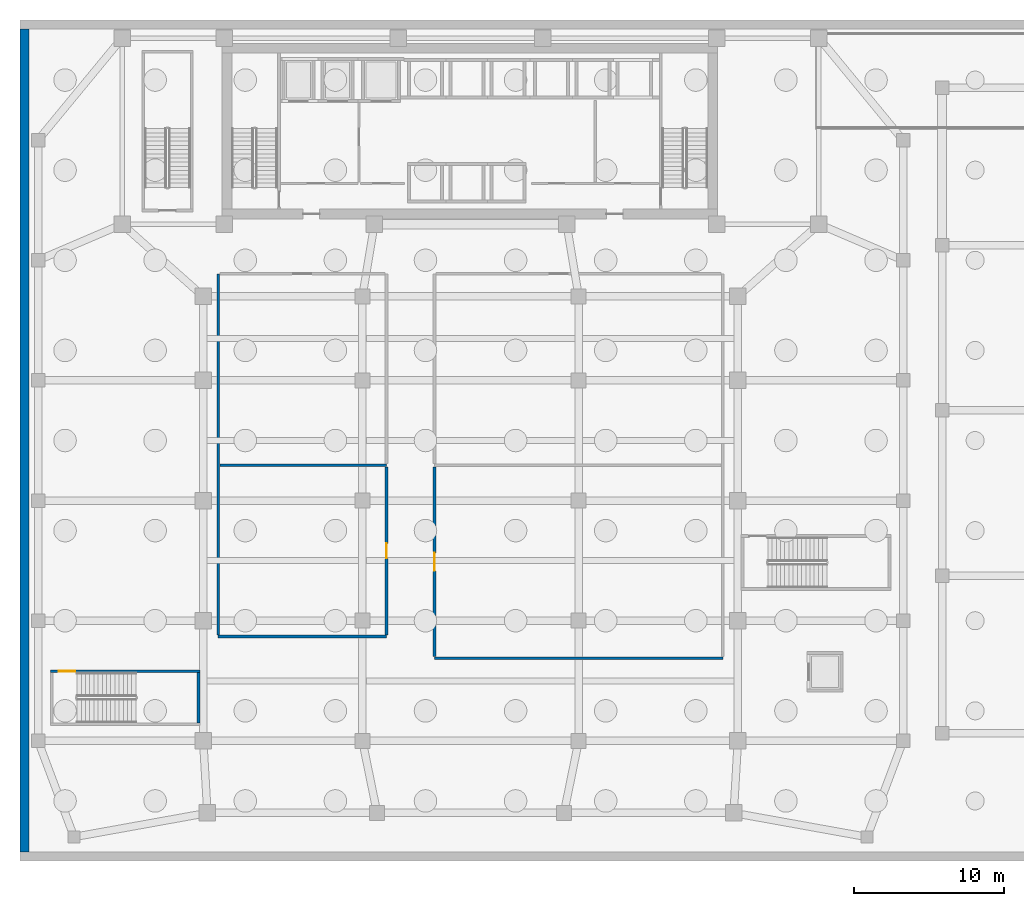
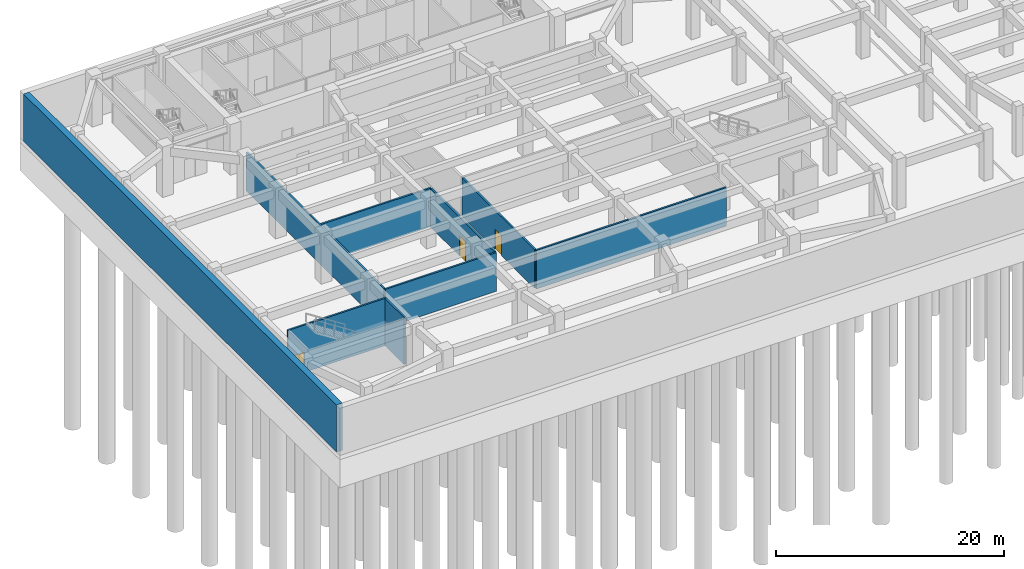
# One storey, part 7 of 18: 9 walls, 3 doors, 3 openings.
"""IFC4 building model written with IfcOpenShell, lengths in metres."""

from ifc_helpers import new_model, si_unit, direction, frame, frame_2d, origin, place, context, subcontext, project, spatial, rectangle, extrude, material, layer, layer_set, type_object, element, fill, save


model = new_model("IFC4")

# Units and contexts
model_context = context("Model", 3, precision=1e-05, world=origin(), true_north=direction((0.0, 1.0)))
body_context = subcontext(model_context, "Body", "Model", "MODEL_VIEW")
ifc_project = project(units=[si_unit("LENGTHUNIT", "METRE"), si_unit("AREAUNIT", "SQUARE_METRE"), si_unit("VOLUMEUNIT", "CUBIC_METRE"), si_unit("PLANEANGLEUNIT", "RADIAN"), si_unit("MASSUNIT", "GRAM", prefix="KILO")], contexts=[model_context])

# Site, building, storey
site_placement = place(None, origin())
site = spatial("IfcSite", under=ifc_project, at=site_placement, CompositionType="ELEMENT")
building_placement = place(site_placement, origin())
building = spatial("IfcBuilding", under=site, at=building_placement, Name="Saevonmaru Cultural Tower", CompositionType="ELEMENT")
storey_placement = place(building_placement, frame((0.0, 0.0, -10.800048828125)))
storey = spatial("IfcBuildingStorey", under=building, at=storey_placement, Name="B2", CompositionType="ELEMENT", Elevation=-10.800048828125)

# Walls
ifc_material_1 = material(Name="Gypsum Fireboard Partition", Category="gypsum")
ifc_layer_1 = layer(ifc_material_1, 0.179931640625, Name="Gypsum Fireboard Partition")
ifc_layer_set_1 = layer_set([ifc_layer_1], Name="Gypsum Fireboard Partition")
wall_type_1 = type_object("IfcWallType", Name="WL-PART-PLANT-180", PredefinedType="PARTITIONING", material=ifc_layer_set_1)
wall_1_placement = place(storey_placement, frame((13.199951171875, 14.949951171875, 0.0), z_axis=(0.0, 0.0, 1.0), x_axis=(1.0, 0.0, 0.0)))
element("IfcWall", 1, at=wall_1_placement, inside=storey, type_object=wall_type_1, Name="B2 Water Tank South Wall", PredefinedType="PARTITIONING", context=body_context, shape_type="SweptSolid", body=[
    extrude(rectangle(XDim=11.199951171875, YDim=0.179931640625, at=frame_2d((5.60009765625, 0.0))), origin(), (0.0, 0.0, 1.0), 4.135009765625),
])
wall_2_placement = place(storey_placement, frame((13.199951171875, 15.06005859375, 0.0), z_axis=(0.0, 0.0, 1.0), x_axis=(0.0, 1.0, 0.0)))
element("IfcWall", 2, at=wall_2_placement, inside=storey, type_object=wall_type_1, Name="B2 Plant West Wall", PredefinedType="PARTITIONING", context=body_context, shape_type="SweptSolid", body=[
    extrude(rectangle(XDim=24.0400390625, YDim=0.179931640625, at=frame_2d((12.02001953125, 0.0))), origin(), (0.0, 0.0, 1.0), 4.135009765625),
])
wall_3_placement = place(storey_placement, frame((13.31005859375, 26.35009765625, 0.0), z_axis=(0.0, 0.0, 1.0), x_axis=(1.0, 0.0, 0.0)))
element("IfcWall", 3, at=wall_3_placement, inside=storey, type_object=wall_type_1, Name="B2 Tank-Chiller Wall", PredefinedType="PARTITIONING", context=body_context, shape_type="SweptSolid", body=[
    extrude(rectangle(XDim=11.08984375, YDim=0.179931640625, at=frame_2d((5.544921875, 0.0))), origin(), (0.0, 0.0, 1.0), 4.135009765625),
])

# Wall, opening, door
wall_4_placement = place(storey_placement, frame((24.39990234375, 15.06005859375, 0.0), z_axis=(0.0, 0.0, 1.0), x_axis=(0.0, 1.0, 0.0)))
wall_4 = element("IfcWall", 4, at=wall_4_placement, inside=storey, type_object=wall_type_1, Name="B2 Water Tank East Wall", PredefinedType="PARTITIONING", context=body_context, shape_type="SweptSolid", body=[
    extrude(rectangle(XDim=11.179931640625, YDim=0.179931640625, at=frame_2d((5.58984375, 0.0))), origin(), (0.0, 0.0, 1.0), 4.135009765625),
])
opening_1_placement = place(wall_4_placement, frame((5.090087890625, 0.0, 0.0)))
opening_1 = element("IfcOpeningElement", 5, at=opening_1_placement, cuts=wall_4, Name="Opening FD-3", PredefinedType="OPENING", context=body_context, shape_type="SweptSolid", body=[
    extrude(rectangle(XDim=1.0, YDim=2.14990234375, at=frame_2d((0.5, 1.074951171875))), frame((0.0, 0.10009765625, 0.0), z_axis=(0.0, -1.0, 0.0), x_axis=(1.0, 0.0, 0.0)), (0.0, 0.0, 1.0), 0.199951171875),
])
ifc_material_2 = material(Name="Satin Bronze Anodised Aluminium", Category="aluminium")
door_type_1 = type_object("IfcDoorType", Name="DR-FD60-1000", OperationType="SINGLE_SWING_RIGHT", PredefinedType="DOOR", material=ifc_material_2)
door_1_placement = place(opening_1_placement, origin())
door_1 = element("IfcDoor", 6, at=door_1_placement, inside=storey, type_object=door_type_1, Name="B2 Fire Water Tank Room Door", OperationType="SINGLE_SWING_RIGHT", OverallHeight=2.14990234375, OverallWidth=1.0, PredefinedType="DOOR", context=body_context, shape_type="SweptSolid", body=[
    extrude(rectangle(XDim=1.0, YDim=2.14990234375, at=frame_2d((0.5, 1.074951171875))), frame((0.0, 0.02490234375, 0.0), z_axis=(0.0, -1.0, 0.0), x_axis=(1.0, 0.0, 0.0)), (0.0, 0.0, 1.0), 0.050048828125),
])
fill(opening_1, door_1)

# Wall
wall_5_placement = place(storey_placement, frame((27.60009765625, 13.5, 0.0), z_axis=(0.0, 0.0, 1.0), x_axis=(1.0, 0.0, 0.0)))
element("IfcWall", 7, at=wall_5_placement, inside=storey, type_object=wall_type_1, Name="B2 Generator South Wall", PredefinedType="PARTITIONING", context=body_context, shape_type="SweptSolid", body=[
    extrude(rectangle(XDim=19.199951171875, YDim=0.179931640625, at=frame_2d((9.60009765625, 0.0))), origin(), (0.0, 0.0, 1.0), 4.135009765625),
])

# Wall, opening, door
wall_6_placement = place(storey_placement, frame((27.60009765625, 13.610107421875, 0.0), z_axis=(0.0, 0.0, 1.0), x_axis=(0.0, 1.0, 0.0)))
wall_6 = element("IfcWall", 8, at=wall_6_placement, inside=storey, type_object=wall_type_1, Name="B2 Generator West Wall", PredefinedType="PARTITIONING", context=body_context, shape_type="SweptSolid", body=[
    extrude(rectangle(XDim=12.6298828125, YDim=0.179931640625, at=frame_2d((6.31494140625, 0.0))), origin(), (0.0, 0.0, 1.0), 4.135009765625),
])
opening_2_placement = place(wall_6_placement, frame((5.715087890625, 0.0, 0.0)))
opening_2 = element("IfcOpeningElement", 9, at=opening_2_placement, cuts=wall_6, Name="Opening FD-1", PredefinedType="OPENING", context=body_context, shape_type="SweptSolid", body=[
    extrude(rectangle(XDim=1.199951171875, YDim=2.14990234375, at=frame_2d((0.60009765625, 1.074951171875))), frame((0.0, 0.10009765625, 0.0), z_axis=(0.0, -1.0, 0.0), x_axis=(1.0, 0.0, 0.0)), (0.0, 0.0, 1.0), 0.199951171875),
])
door_type_2 = type_object("IfcDoorType", Name="DR-FD60-1200", OperationType="DOUBLE_DOOR_SINGLE_SWING", PredefinedType="DOOR", material=ifc_material_2)
door_2_placement = place(opening_2_placement, origin())
door_2 = element("IfcDoor", 10, at=door_2_placement, inside=storey, type_object=door_type_2, Name="B2 Standby Generator Hall Door", OperationType="DOUBLE_DOOR_SINGLE_SWING", OverallHeight=2.14990234375, OverallWidth=1.199951171875, PredefinedType="DOOR", context=body_context, shape_type="SweptSolid", body=[
    extrude(rectangle(XDim=1.199951171875, YDim=2.14990234375, at=frame_2d((0.60009765625, 1.074951171875))), frame((0.0, 0.02490234375, 0.0), z_axis=(0.0, -1.0, 0.0), x_axis=(1.0, 0.0, 0.0)), (0.0, 0.0, 1.0), 0.050048828125),
])
fill(opening_2, door_2)

# Wall
ifc_material_3 = material(Name="Concrete C50/60", Category="concrete")
ifc_layer_2 = layer(ifc_material_3, 0.60009765625, Name="Concrete C50/60")
ifc_layer_set_2 = layer_set([ifc_layer_2], Name="Concrete C50/60")
wall_type_2 = type_object("IfcWallType", Name="WL-RET-600", PredefinedType="USERDEFINED", material=ifc_layer_set_2)
wall_7_placement = place(storey_placement, frame((0.300048828125, 0.60009765625, 0.0), z_axis=(0.0, 0.0, 1.0), x_axis=(0.0, 1.0, 0.0)))
element("IfcWall", 11, at=wall_7_placement, inside=storey, type_object=wall_type_2, Name="B2 Basement perimeter retaining wall W", ObjectType="RETAININGWALL", PredefinedType="USERDEFINED", context=body_context, shape_type="SweptSolid", body=[
    extrude(rectangle(XDim=54.7998046875, YDim=0.60009765625, at=frame_2d((27.39990234375, 0.0))), origin(), (0.0, 0.0, 1.0), 5.050048828125),
])

# Wall, opening, door
ifc_material_4 = material(Name="Concrete C40/50", Category="concrete")
ifc_layer_3 = layer(ifc_material_4, 0.179931640625, Name="Concrete C40/50")
ifc_layer_set_3 = layer_set([ifc_layer_3], Name="Concrete C40/50")
wall_type_3 = type_object("IfcWallType", Name="WL-STSHAFT-180", PredefinedType="SHEAR", material=ifc_layer_set_3)
wall_8_placement = place(storey_placement, frame((2.02001953125, 12.639892578125, 0.0), z_axis=(0.0, 0.0, 1.0), x_axis=(1.0, 0.0, 0.0)))
wall_8 = element("IfcWall", 12, at=wall_8_placement, inside=storey, type_object=wall_type_3, Name="B2 Stair SST-1 Structural Shaft Wall 1", PredefinedType="SHEAR", context=body_context, shape_type="SweptSolid", body=[
    extrude(rectangle(XDim=9.9599609375, YDim=0.179931640625, at=frame_2d((4.97998046875, 0.0))), origin(), (0.0, 0.0, 1.0), 5.050048828125),
])
opening_3_placement = place(wall_8_placement, frame((0.550048828125, 0.0, 0.0)))
opening_3 = element("IfcOpeningElement", 13, at=opening_3_placement, cuts=wall_8, Name="Opening FD-2", PredefinedType="OPENING", context=body_context, shape_type="SweptSolid", body=[
    extrude(rectangle(XDim=1.10009765625, YDim=2.14990234375, at=frame_2d((0.550048828125, 1.074951171875))), frame((0.0, 0.10009765625, 0.0), z_axis=(0.0, -1.0, 0.0), x_axis=(1.0, 0.0, 0.0)), (0.0, 0.0, 1.0), 0.199951171875),
])
door_type_3 = type_object("IfcDoorType", Name="DR-FD60-1100", OperationType="SINGLE_SWING_LEFT", PredefinedType="DOOR", material=ifc_material_2)
door_3_placement = place(opening_3_placement, origin())
door_3 = element("IfcDoor", 14, at=door_3_placement, inside=storey, type_object=door_type_3, Name="B2 Protected Stair SST-1 Fire Door", OperationType="SINGLE_SWING_LEFT", OverallHeight=2.14990234375, OverallWidth=1.10009765625, PredefinedType="DOOR", context=body_context, shape_type="SweptSolid", body=[
    extrude(rectangle(XDim=1.10009765625, YDim=2.14990234375, at=frame_2d((0.550048828125, 1.074951171875))), frame((0.0, 0.02490234375, 0.0), z_axis=(0.0, -1.0, 0.0), x_axis=(1.0, 0.0, 0.0)), (0.0, 0.0, 1.0), 0.050048828125),
])
fill(opening_3, door_3)

# Wall
wall_9_placement = place(storey_placement, frame((11.889892578125, 12.550048828125, 0.0), z_axis=(0.0, 0.0, 1.0), x_axis=(0.0, -1.0, 0.0)))
element("IfcWall", 15, at=wall_9_placement, inside=storey, type_object=wall_type_3, Name="B2 Stair SST-1 Structural Shaft Wall 2", PredefinedType="SHEAR", context=body_context, shape_type="SweptSolid", body=[
    extrude(rectangle(XDim=3.35009765625, YDim=0.179931640625, at=frame_2d((1.675048828125, 0.0))), origin(), (0.0, 0.0, 1.0), 5.050048828125),
])

save(model, "model.ifc")
